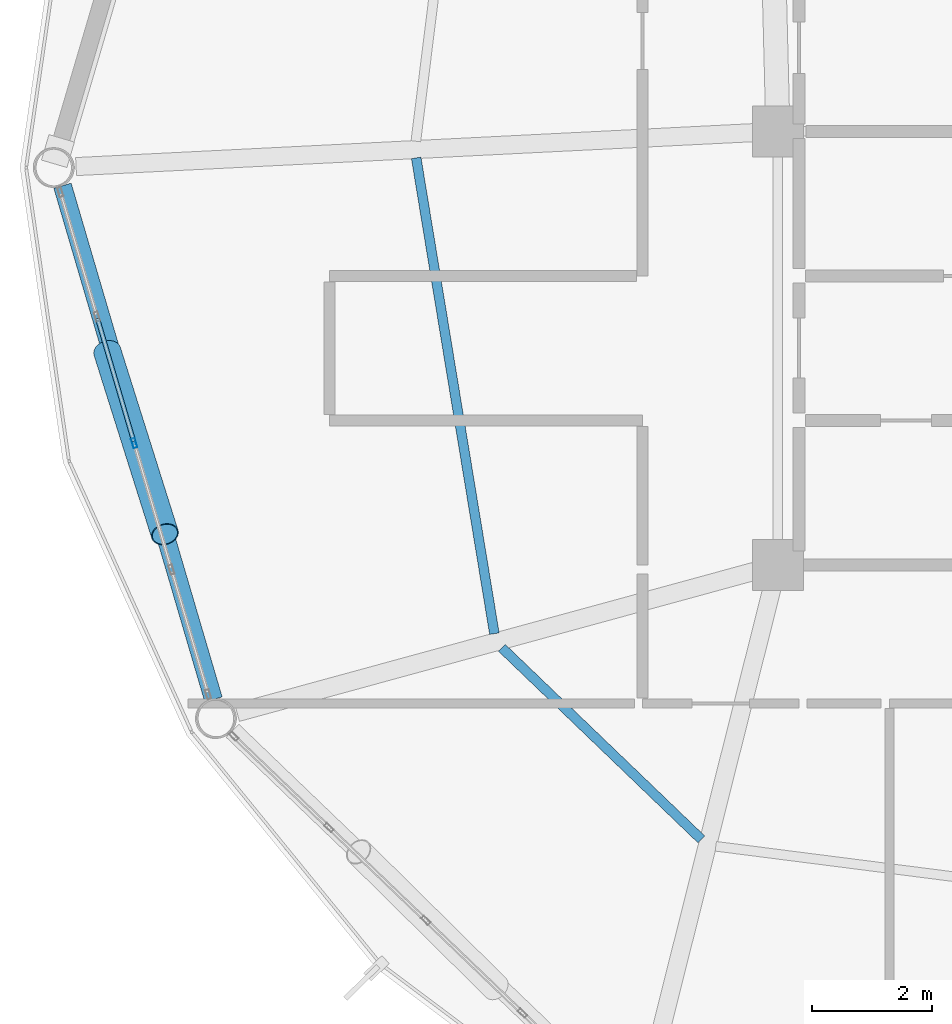
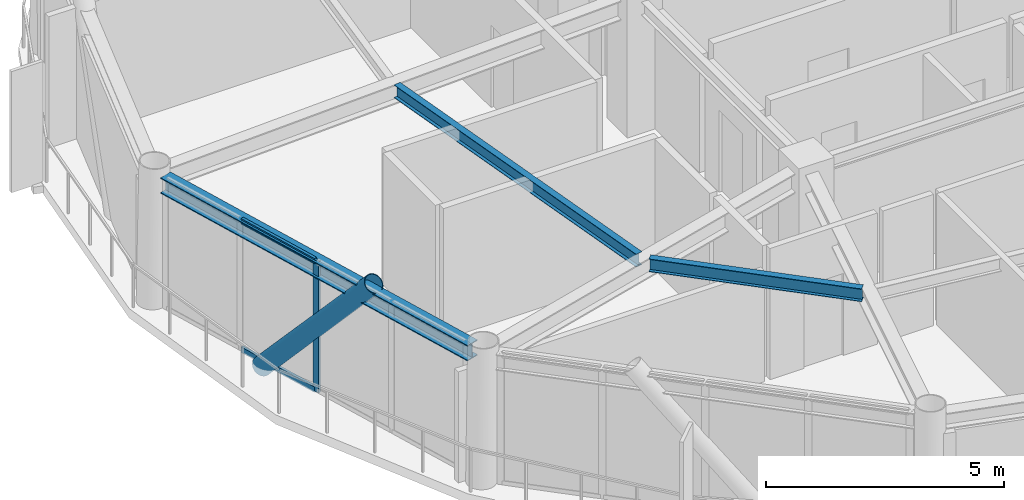
# One storey, part 5 of 28: 4 members, 3 beams, 1 element without a shape of its own.
"""IFC4 building model written with IfcOpenShell, lengths in metres."""

from ifc_helpers import new_model, si_unit, direction, frame, origin, origin_2d, place, context, subcontext, project, spatial, hollow_rectangle, hollow_circle, i_section, extrude, material, layer, layer_set, material_profile, profile_set, type_object, element, aggregate, save


model = new_model("IFC4")

# Units and contexts
model_context = context("Model", 3, precision=1e-05, world=origin(), true_north=direction((0.0, 1.0)))
body_context = subcontext(model_context, "Body", "Model", "MODEL_VIEW")
ifc_project = project(units=[si_unit("LENGTHUNIT", "METRE"), si_unit("AREAUNIT", "SQUARE_METRE"), si_unit("VOLUMEUNIT", "CUBIC_METRE"), si_unit("PLANEANGLEUNIT", "RADIAN"), si_unit("MASSUNIT", "GRAM", prefix="KILO")], contexts=[model_context])

# Site, building, storey
site_placement = place(None, origin())
site = spatial("IfcSite", under=ifc_project, at=site_placement, CompositionType="ELEMENT")
building_placement = place(site_placement, origin())
building = spatial("IfcBuilding", under=site, at=building_placement, Name="Varnakorn Sky Granary", CompositionType="ELEMENT")
storey_placement = place(building_placement, frame((0.0, 0.0, 207.60009765625)))
storey = spatial("IfcBuildingStorey", under=building, at=storey_placement, Name="L52", CompositionType="ELEMENT", Elevation=207.60009765625)

# Beams
ifc_material_1 = material(Name="Steel S355JR", Category="steel")
ifc_material_profile_1 = material_profile(ifc_material_1, i_section(OverallWidth=0.159912109375, OverallDepth=0.330078125, WebThickness=0.007568359375, FlangeThickness=0.011474609375, at=origin_2d()), Name="IPE 330")
ifc_profile_set_1 = profile_set([ifc_material_profile_1], Name="Steel S355JR")
beam_type_1 = type_object("IfcBeamType", Name="BM-SEC-Z4", PredefinedType="BEAM", material=ifc_profile_set_1)
beam_1_placement = place(storey_placement, frame((-8.358642578125, 0.15966796875, 3.19482421875), z_axis=(0.162178950614, -0.986761363237, 0.0), x_axis=(0.986761363237, 0.162178950614, 0.0)))
element("IfcBeam", 1, at=beam_1_placement, inside=storey, type_object=beam_type_1, Name="Secondary Floor Chord Beam MSB07 L52", PredefinedType="BEAM", context=body_context, shape_type="SweptSolid", body=[
    extrude(i_section(OverallWidth=0.159912109375, OverallDepth=0.330078125, WebThickness=0.007568359375, FlangeThickness=0.011474609375, at=origin_2d()), origin(), (0.0, 0.0, 1.0), 8.008544921875),
])
beam_2_placement = place(storey_placement, frame((-6.93603515625, -7.977783203125, 3.19482421875), z_axis=(0.72133211061, -0.692589334456, 0.0), x_axis=(0.692589334456, 0.72133211061, 0.0)))
element("IfcBeam", 2, at=beam_2_placement, inside=storey, type_object=beam_type_1, Name="Secondary Floor Chord Beam MSB08 L52", PredefinedType="BEAM", context=body_context, shape_type="SweptSolid", body=[
    extrude(i_section(OverallWidth=0.159912109375, OverallDepth=0.330078125, WebThickness=0.007568359375, FlangeThickness=0.011474609375, at=origin_2d()), origin(), (0.0, 0.0, 1.0), 4.59521484375),
])
ifc_material_profile_2 = material_profile(ifc_material_1, i_section(OverallWidth=0.300048828125, OverallDepth=0.39990234375, WebThickness=0.013427734375, FlangeThickness=0.02392578125, at=origin_2d()), Name="HE 400 B")
ifc_profile_set_2 = profile_set([ifc_material_profile_2], Name="Steel S355JR")
beam_type_2 = type_object("IfcBeamType", Name="BM-SPD-Z4", PredefinedType="SPANDREL", material=ifc_profile_set_2)
beam_3_placement = place(storey_placement, frame((-14.234130859375, -0.30224609375, 3.159912109375), z_axis=(0.281956777756, -0.959427107954, 0.0), x_axis=(0.959427107954, 0.281956777756, 0.0)))
element("IfcBeam", 3, at=beam_3_placement, inside=storey, type_object=beam_type_2, Name="Perimeter Spandrel Ring Beam RB07 L52", PredefinedType="SPANDREL", context=body_context, shape_type="SweptSolid", body=[
    extrude(i_section(OverallWidth=0.300048828125, OverallDepth=0.39990234375, WebThickness=0.013427734375, FlangeThickness=0.02392578125, at=origin_2d()), origin(), (0.0, 0.0, 1.0), 8.894287109375),
])

# Curtain wall, members
ifc_material_2 = material(Name="Anodised Bronze Aluminium Alloy 6063-T6", Category="aluminium")
ifc_layer = layer(ifc_material_2, 0.169921875, Name="Anodised Bronze Aluminium Alloy 6063-T6")
ifc_layer_set = layer_set([ifc_layer], Name="Anodised Bronze Aluminium Alloy 6063-T6")
curtain_wall_type = type_object("IfcCurtainWallType", Name="CW-LAB-1", PredefinedType="USERDEFINED", material=ifc_layer_set)
curtain_wall_placement = place(storey_placement, origin())
curtain_wall = element("IfcCurtainWall", 4, at=curtain_wall_placement, inside=storey, type_object=curtain_wall_type, Name="Unitised Curtain Wall CW5 CW-L52-B07", ObjectType="CURTAIN WALL", PredefinedType="USERDEFINED")
ifc_material_profile_3 = material_profile(ifc_material_2, hollow_rectangle(XDim=0.06494140625, YDim=0.159912109375, WallThickness=0.00341796875, at=origin_2d()), Name="ALU MULL 65x160")
ifc_profile_set_3 = profile_set([ifc_material_profile_3], Name="Anodised Bronze Aluminium Alloy 6063-T6")
member_type_1 = type_object("IfcMemberType", Name="CW-LAB-1-MULL", PredefinedType="MULLION", material=ifc_profile_set_3)
member_1_placement = place(storey_placement, frame((-13.042724609375, -4.577392578125, 0.0), z_axis=(0.0, 0.0, 1.0), x_axis=(-0.959309517364, -0.282356600585, 0.0)))
member_1 = element("IfcMember", 5, at=member_1_placement, type_object=member_type_1, Name="CW5 mullion 3", PredefinedType="MULLION", context=body_context, shape_type="SweptSolid", body=[
    extrude(hollow_rectangle(XDim=0.06494140625, YDim=0.159912109375, WallThickness=0.00341796875, at=origin_2d()), origin(), (0.0, 0.0, 1.0), 3.35986328125),
])
ifc_material_profile_4 = material_profile(ifc_material_2, hollow_rectangle(XDim=0.070068359375, YDim=0.139892578125, WallThickness=0.00341796875, at=origin_2d()), Name="ALU TRAN 70x140")
ifc_profile_set_4 = profile_set([ifc_material_profile_4], Name="Anodised Bronze Aluminium Alloy 6063-T6")
member_type_2 = type_object("IfcMemberType", Name="CW-LAB-1-TRAN", PredefinedType="USERDEFINED", material=ifc_profile_set_4)
member_2_placement = place(storey_placement, frame((-13.0517578125, -4.54638671875, 0.034912109375), z_axis=(-0.282402587845, 0.959295980591, 0.0), x_axis=(-0.959295980591, -0.282402587845, 0.0)))
member_2 = element("IfcMember", 6, at=member_2_placement, type_object=member_type_2, Name="CW5 transom 3.1", ObjectType="TRANSOM", PredefinedType="USERDEFINED", context=body_context, shape_type="SweptSolid", body=[
    extrude(hollow_rectangle(XDim=0.070068359375, YDim=0.139892578125, WallThickness=0.00341796875, at=origin_2d()), origin(), (0.0, 0.0, 1.0), 2.125732421875),
])
member_3_placement = place(storey_placement, frame((-13.0517578125, -4.54638671875, 3.324951171875), z_axis=(-0.282402587845, 0.959295980591, 0.0), x_axis=(-0.959295980591, -0.282402587845, 0.0)))
member_3 = element("IfcMember", 7, at=member_3_placement, type_object=member_type_2, Name="CW5 transom 3.2", ObjectType="TRANSOM", PredefinedType="USERDEFINED", context=body_context, shape_type="SweptSolid", body=[
    extrude(hollow_rectangle(XDim=0.070068359375, YDim=0.139892578125, WallThickness=0.00341796875, at=origin_2d()), origin(), (0.0, 0.0, 1.0), 2.125732421875),
])
aggregate(curtain_wall, [member_1, member_2, member_3])

# Member
ifc_material_3 = material(Name="Steel S460M", Category="steel")
ifc_material_profile_5 = material_profile(ifc_material_3, hollow_circle(Radius=0.228515625, WallThickness=0.01611328125, at=origin_2d()), Name="CHS 457x16")
ifc_profile_set_5 = profile_set([ifc_material_profile_5], Name="Steel S460M")
member_type_3 = type_object("IfcMemberType", Name="MB-DIAG-T3", PredefinedType="BRACE", material=ifc_profile_set_5)
member_4_placement = place(storey_placement, frame((-13.49169921875, -3.0517578125, -0.130126953125), z_axis=(0.198806205856, -0.630278432159, 0.75048330459), x_axis=(0.953682151028, 0.300816147855, 0.0)))
element("IfcMember", 8, at=member_4_placement, inside=storey, type_object=member_type_3, Name="Perimeter CHS Diagrid Brace DG07 L52", PredefinedType="BRACE", context=body_context, shape_type="SweptSolid", body=[
    extrude(hollow_circle(Radius=0.228515625, WallThickness=0.01611328125, at=origin_2d()), origin(), (0.0, 0.0, 1.0), 4.82373046875),
])

save(model, "model.ifc")
